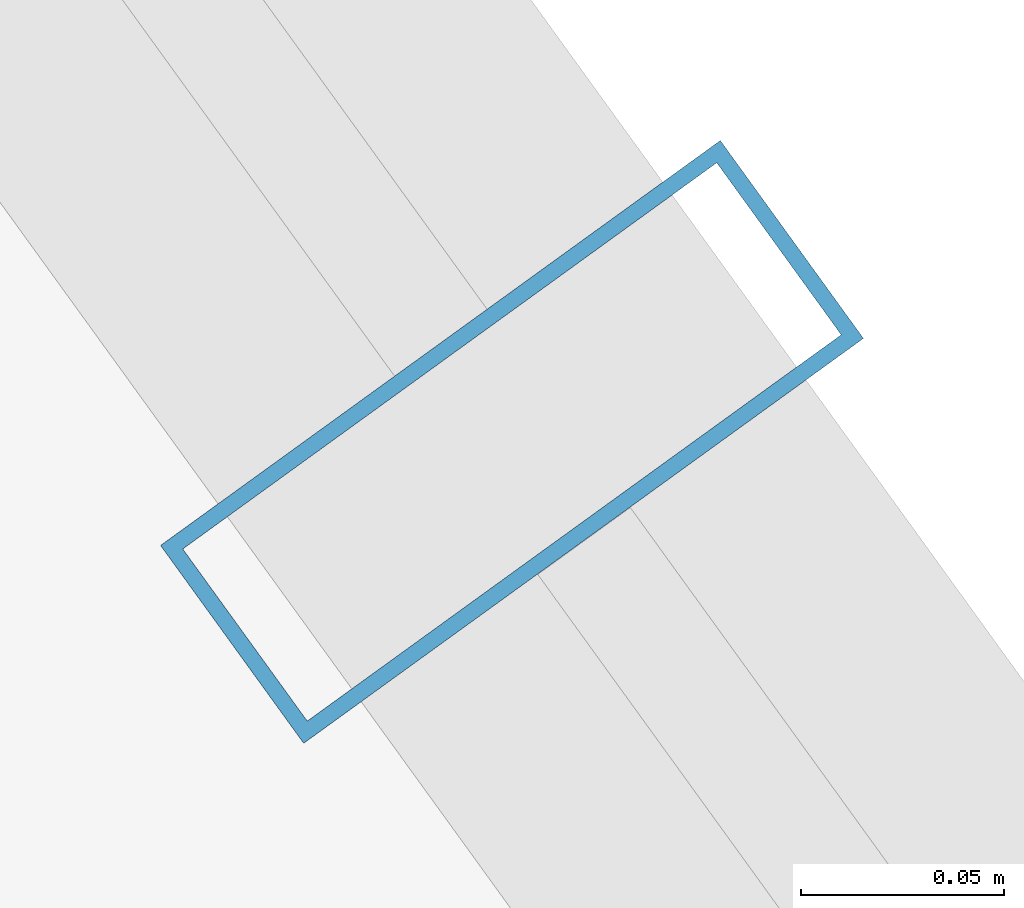
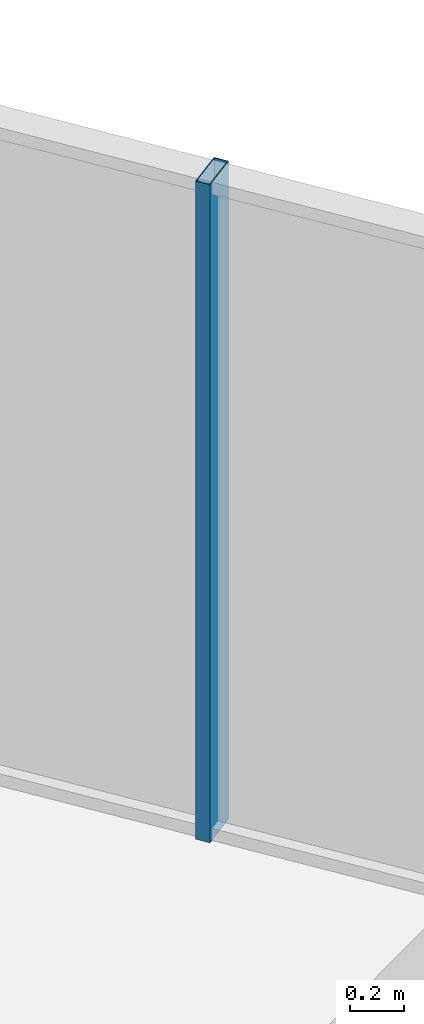
# One storey, part 29 of 37: 1 member, 1 element without a shape of its own.
"""IFC4 building model written with IfcOpenShell, lengths in metres."""

from ifc_helpers import new_model, si_unit, direction, frame, origin, origin_2d, place, context, subcontext, project, spatial, hollow_rectangle, extrude, source, transform, mapped, material, layer, layer_set, material_profile, profile_set, type_object, element, aggregate, save


model = new_model("IFC4")

# Units and contexts
model_context = context("Model", 3, precision=1e-05, world=origin(), true_north=direction((0.0, 1.0)))
body_context = subcontext(model_context, "Body", "Model", "MODEL_VIEW")
ifc_project = project(units=[si_unit("LENGTHUNIT", "METRE"), si_unit("AREAUNIT", "SQUARE_METRE"), si_unit("VOLUMEUNIT", "CUBIC_METRE"), si_unit("PLANEANGLEUNIT", "RADIAN"), si_unit("MASSUNIT", "GRAM", prefix="KILO")], contexts=[model_context])

# Site, building, storey
site_placement = place(None, origin())
site = spatial("IfcSite", under=ifc_project, at=site_placement, CompositionType="ELEMENT")
building_placement = place(site_placement, origin())
building = spatial("IfcBuilding", under=site, at=building_placement, Name="Veraguas Prism Commons", CompositionType="ELEMENT")
storey_placement = place(building_placement, frame((0.0, 0.0, 43.550048828125)))
storey = spatial("IfcBuildingStorey", under=building, at=storey_placement, Name="L11", CompositionType="ELEMENT", Elevation=43.550048828125)

# Curtain wall, member
ifc_material = material(Name="Anodised aluminium EN AW-6063 T6", Category="aluminium")
ifc_layer = layer(ifc_material, 0.169921875, Name="Unitised Flush Curtain Wall Zone 1", Category="aluminium")
ifc_layer_set = layer_set([ifc_layer], Name="Anodised aluminium EN AW-6063 T6")
curtain_wall_type = type_object("IfcCurtainWallType", Name="Unitised Flush Curtain Wall Zone 1", PredefinedType="NOTDEFINED", material=ifc_layer_set)
curtain_wall_placement = place(storey_placement, origin())
curtain_wall = element("IfcCurtainWall", 1, at=curtain_wall_placement, inside=storey, type_object=curtain_wall_type, Name="Tower Facade Curtain Wall L11-F1", PredefinedType="NOTDEFINED")
ifc_material_profile = material_profile(ifc_material, hollow_rectangle(XDim=0.06005859375, YDim=0.169921875, WallThickness=0.00390625, at=origin_2d()), Name="AL60X170X4")
ifc_profile_set = profile_set([ifc_material_profile], Name="Anodised aluminium EN AW-6063 T6")
member_type = type_object("IfcMemberType", Name="Curtain Wall Mullion Lower AL 60x170x4", PredefinedType="MULLION", material=ifc_profile_set)
shared_shape = source(origin(), body_context, "Body", "SweptSolid", [
    extrude(hollow_rectangle(XDim=0.06005859375, YDim=0.169921875, WallThickness=0.00390625, at=origin_2d()), origin(), (0.0, 0.0, 1.0), 3.0),
])
member_placement = place(storey_placement, frame((40.840576171875, 36.181640625, 0.0), z_axis=(0.0, 0.0, 1.0), x_axis=(-0.586086734847, 0.81024831949, 0.0)))
member = element("IfcMember", 2, at=member_placement, type_object=member_type, Name="CW-Z1 Mullion 3", PredefinedType="MULLION", context=body_context, shape_type="MappedRepresentation", body=[
    mapped(shared_shape, transform((0.0, 0.0, 0.0), scale=1.0)),
])
aggregate(curtain_wall, [member])

save(model, "model.ifc")
